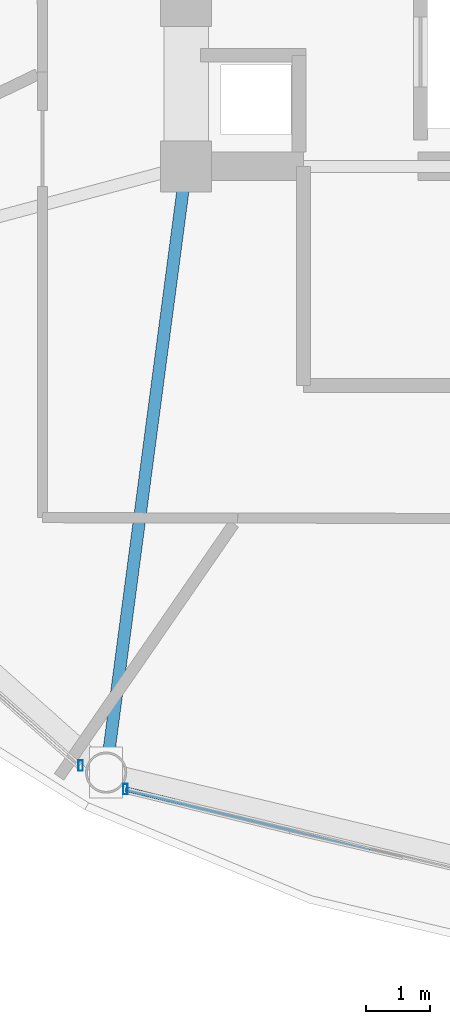
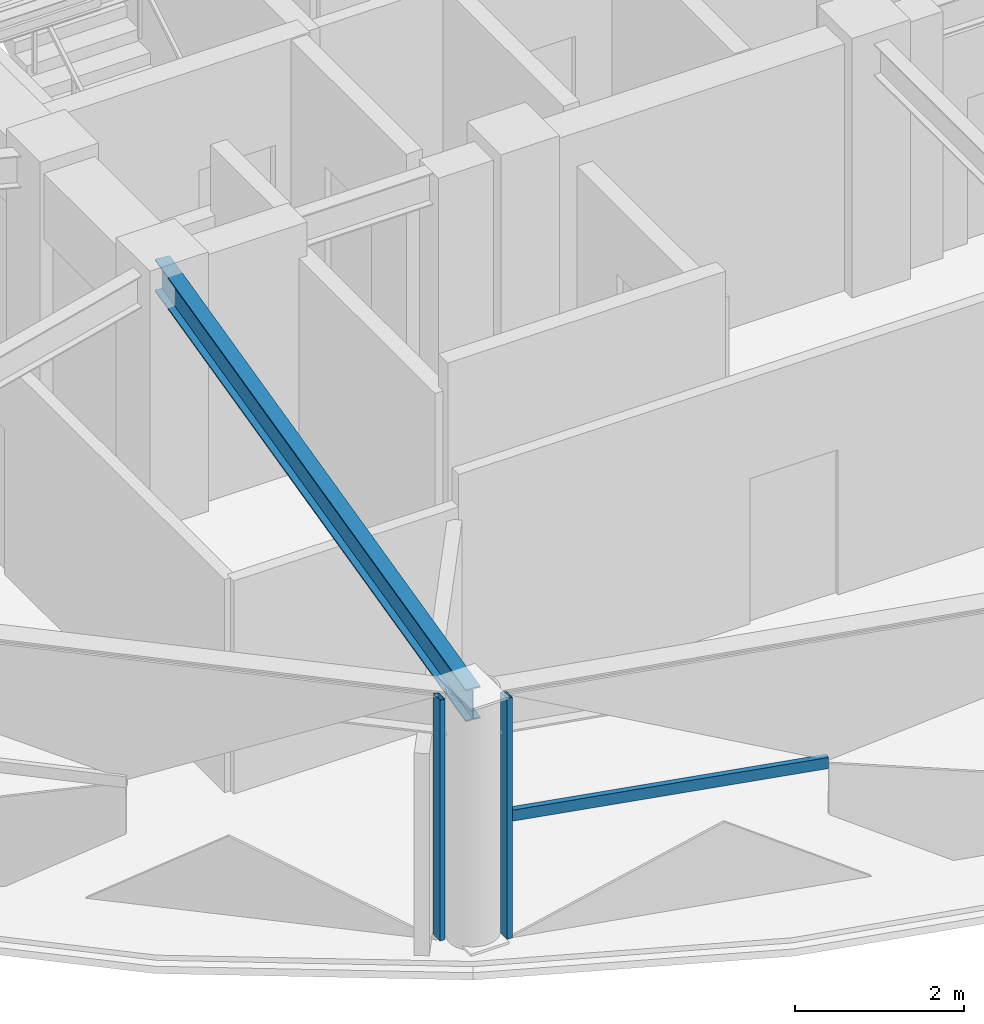
# One storey, part 2 of 28: 3 members, 1 beam, 2 elements without a shape of their own.
"""IFC4 building model written with IfcOpenShell, lengths in metres."""

import ifcopenshell
import ifcopenshell.guid

model = None  # the IFC model being written
_history = None  # IfcOwnerHistory: only IFC2X3 demands one
_inside = {}  # id of a spatial element -> (the spatial element, [elements in it])
_under = {}  # id of a project, library or spatial element -> (it, [spatial elements below it])
_declared = {}  # id of a project -> (the project, [libraries it declares])
_typed = {}  # id of a type object -> (the type object, [elements of that type])
_made_of = {}  # id of a material, layer set ... -> (it, [elements and type objects made of it])


def new_model(schema):
    """Start an empty IFC model of exactly this schema.

    Asked for "IFC4X3", IfcOpenShell would pick the latest addendum, in which some entities
    have other attributes; the version numbers below select the first issue.
    IFC2X3 requires an IfcOwnerHistory on every rooted entity: one is made here for all.
    """
    global model, _history
    if schema == "IFC4X3":
        model = ifcopenshell.file(schema_version=(4, 3, 0, 0))
    else:
        model = ifcopenshell.file(schema=schema)
    _inside.clear()
    _under.clear()
    _declared.clear()
    _typed.clear()
    _made_of.clear()
    _history = None
    if model.schema == "IFC2X3":
        org = make("IfcOrganization", Name="unknown")
        user = make(
            "IfcPersonAndOrganization",
            ThePerson=make("IfcPerson", FamilyName="unknown"),
            TheOrganization=org,
        )
        app = make(
            "IfcApplication",
            ApplicationDeveloper=org,
            Version="unknown",
            ApplicationFullName="unknown",
            ApplicationIdentifier="unknown",
        )
        _history = make(
            "IfcOwnerHistory",
            OwningUser=user,
            OwningApplication=app,
            ChangeAction="ADDED",
            CreationDate=0,
        )
    return model


def make(cls, **values):
    """One entity of the class cls with the attributes given. An attribute that is None is left unset."""
    return model.create_entity(
        cls, **{name: value for name, value in values.items() if value is not None}
    )


def rooted(cls, **values):
    """An entity with a GlobalId (a new one), such as an element, a storey or a relation."""
    return make(cls, GlobalId=ifcopenshell.guid.new(), OwnerHistory=_history, **values)


def si_unit(unit_type, name, prefix=None):
    """IfcSIUnit, for example si_unit("LENGTHUNIT", "METRE", prefix="MILLI")."""
    return make("IfcSIUnit", UnitType=unit_type, Prefix=prefix, Name=name)


def assignment(units):
    """IfcUnitAssignment: the units of a project."""
    return None if units is None else make("IfcUnitAssignment", Units=units)


def point(xyz):
    """IfcCartesianPoint."""
    return None if xyz is None else make("IfcCartesianPoint", Coordinates=xyz)


def direction(xyz):
    """IfcDirection."""
    return None if xyz is None else make("IfcDirection", DirectionRatios=xyz)


def frame(location, z_axis=None, x_axis=None):
    """IfcAxis2Placement3D, a coordinate frame: its origin and axes. An axis left out is left unset."""
    return make(
        "IfcAxis2Placement3D",
        Location=point(location),
        Axis=direction(z_axis),
        RefDirection=direction(x_axis),
    )


def frame_2d(location, x_axis=None):
    """IfcAxis2Placement2D, a coordinate frame in the plane: its origin and x axis."""
    return make(
        "IfcAxis2Placement2D", Location=point(location), RefDirection=direction(x_axis)
    )


def origin():
    """The frame at (0, 0, 0) with its axes left unset."""
    return frame((0.0, 0.0, 0.0))


def origin_2d():
    """The frame at (0, 0) in the plane with its x axis left unset."""
    return frame_2d((0.0, 0.0))


def place(relative_to, where):
    """IfcLocalPlacement: puts the frame where relative to a parent placement (None: the world)."""
    return make(
        "IfcLocalPlacement", PlacementRelTo=relative_to, RelativePlacement=where
    )


def context(
    kind, dimensions, precision=None, world=None, true_north=None, identifier=None
):
    """IfcGeometricRepresentationContext, for example the 3D "Model" context."""
    return make(
        "IfcGeometricRepresentationContext",
        ContextIdentifier=identifier,
        ContextType=kind,
        CoordinateSpaceDimension=dimensions,
        Precision=precision,
        WorldCoordinateSystem=world,
        TrueNorth=true_north,
    )


def subcontext(parent, identifier, kind, view, scale=None):
    """IfcGeometricRepresentationSubContext, for example "Body" below "Model"."""
    return make(
        "IfcGeometricRepresentationSubContext",
        ContextIdentifier=identifier,
        ContextType=kind,
        ParentContext=parent,
        TargetScale=scale,
        TargetView=view,
    )


def project(units=None, contexts=None):
    """IfcProject with its units and contexts."""
    return rooted(
        "IfcProject",
        Name="project",
        RepresentationContexts=contexts,
        UnitsInContext=assignment(units),
    )


def spatial(cls, under=None, at=None, **own):
    """A site, building, storey or space (cls), placed at a placement, below another one or the project."""
    s = rooted(cls, ObjectPlacement=at, **own)
    if under is not None:
        _under.setdefault(under.id(), (under, []))[1].append(s)
    return s


def profile(cls, at=None, kind="AREA", **sizes):
    """A parametric profile (cls). Its sizes go by their IFC names, for example OverallWidth=200.0."""
    return make(cls, ProfileType=kind, Position=at, **sizes)


def hollow_rectangle(**sizes):
    """IfcRectangleHollowProfileDef."""
    return profile("IfcRectangleHollowProfileDef", **sizes)


def i_section(**sizes):
    """IfcIShapeProfileDef."""
    return profile("IfcIShapeProfileDef", **sizes)


def extrude(swept, where, along, depth):
    """IfcExtrudedAreaSolid: the profile swept, set in the frame where, extruded along a direction by depth."""
    return make(
        "IfcExtrudedAreaSolid",
        SweptArea=swept,
        Position=where,
        ExtrudedDirection=direction(along),
        Depth=depth,
    )


def shape(context_of_items, identifier, shape_type, items):
    """IfcShapeRepresentation: the items that make up one representation, for example the "Body"."""
    return make(
        "IfcShapeRepresentation",
        ContextOfItems=context_of_items,
        RepresentationIdentifier=identifier,
        RepresentationType=shape_type,
        Items=items,
    )


def material(Name=None, Category=None):
    """IfcMaterial."""
    return make("IfcMaterial", Name=Name, Category=Category)


def layer(
    of_material, thickness, ventilated=None, Name=None, Category=None, Priority=None
):
    """IfcMaterialLayer: one layer of a wall or slab, of a material (None: an air gap)."""
    return make(
        "IfcMaterialLayer",
        Material=of_material,
        LayerThickness=thickness,
        IsVentilated=ventilated,
        Name=Name,
        Category=Category,
        Priority=Priority,
    )


def layer_set(layers, Name=None):
    """IfcMaterialLayerSet."""
    return make("IfcMaterialLayerSet", MaterialLayers=layers, LayerSetName=Name)


def material_profile(
    of_material, cross_section, Name=None, Category=None, Priority=None
):
    """IfcMaterialProfile: a cross section and its material."""
    return make(
        "IfcMaterialProfile",
        Name=Name,
        Material=of_material,
        Profile=cross_section,
        Priority=Priority,
        Category=Category,
    )


def profile_set(profiles, Name=None, composite=None):
    """IfcMaterialProfileSet."""
    return make(
        "IfcMaterialProfileSet",
        Name=Name,
        MaterialProfiles=profiles,
        CompositeProfile=composite,
    )


def made_of(thing, what):
    """Note that an element or type object is made of a material, layer set ...; save() writes the relation."""
    if what is not None:
        _made_of.setdefault(what.id(), (what, []))[1].append(thing)
    return thing


def type_object(cls, material=None, **own):
    """A type object (cls), such as IfcWallType, which elements share."""
    return made_of(rooted(cls, **own), material)


def element(
    cls,
    number,
    at=None,
    inside=None,
    cuts=None,
    type_object=None,
    material=None,
    context=None,
    identifier="Body",
    shape_type=None,
    held_by="IfcProductDefinitionShape",
    body=None,
    shapes=None,
    **own,
):
    """One element of the class cls, such as IfcWall. Its Tag is "e" and its number.

    at: its placement. inside: the storey or other place that contains it. cuts: it is an
    opening in that element (IfcRelVoidsElement). A single representation is given by context,
    identifier, shape_type and body (its items); several are given by shapes. held_by: the class
    of the entity that holds the representations. save() writes the other relations.
    """
    e = rooted(cls, Tag="e%d" % number, ObjectPlacement=at, **own)
    if body is not None:
        shapes = [shape(context, identifier, shape_type, body)]
    if shapes is not None:
        e.Representation = make(held_by, Representations=shapes)
    if inside is not None:
        _inside.setdefault(inside.id(), (inside, []))[1].append(e)
    if cuts is not None:
        rooted(
            "IfcRelVoidsElement", RelatingBuildingElement=cuts, RelatedOpeningElement=e
        )
    if type_object is not None:
        _typed.setdefault(type_object.id(), (type_object, []))[1].append(e)
    return made_of(e, material)


def aggregate(whole, parts):
    """IfcRelAggregates: a whole, such as a stair, and the parts it consists of."""
    return rooted("IfcRelAggregates", RelatingObject=whole, RelatedObjects=parts)


def save(model, path):
    """Write the relations noted so far, then the file.

    IfcRelAggregates (storeys below a building ...), IfcRelContainedInSpatialStructure (elements
    in a storey), IfcRelDefinesByType, IfcRelAssociatesMaterial and IfcRelDeclares: one each for
    every whole, place, type object, material and project.
    """
    for whole, parts in _under.values():
        aggregate(whole, parts)
    for where, things in _inside.values():
        rooted(
            "IfcRelContainedInSpatialStructure",
            RelatedElements=things,
            RelatingStructure=where,
        )
    for kind, things in _typed.values():
        rooted("IfcRelDefinesByType", RelatedObjects=things, RelatingType=kind)
    for what, things in _made_of.values():
        rooted("IfcRelAssociatesMaterial", RelatedObjects=things, RelatingMaterial=what)
    for by, libraries in _declared.values():
        rooted("IfcRelDeclares", RelatingContext=by, RelatedDefinitions=libraries)
    model.write(path)


model = new_model("IFC4")

# Units and contexts
model_context = context("Model", 3, precision=1e-05, world=origin(), true_north=direction((0.0, 1.0)))
body_context = subcontext(model_context, "Body", "Model", "MODEL_VIEW")
ifc_project = project(units=[si_unit("LENGTHUNIT", "METRE"), si_unit("AREAUNIT", "SQUARE_METRE"), si_unit("VOLUMEUNIT", "CUBIC_METRE"), si_unit("PLANEANGLEUNIT", "RADIAN"), si_unit("MASSUNIT", "GRAM", prefix="KILO")], contexts=[model_context])

# Site, building, storey
site_placement = place(None, origin())
site = spatial("IfcSite", under=ifc_project, at=site_placement, CompositionType="ELEMENT")
building_placement = place(site_placement, origin())
building = spatial("IfcBuilding", under=site, at=building_placement, Name="Vantalir Tower", CompositionType="ELEMENT")
storey_placement = place(building_placement, frame((0.0, 0.0, 238.64990234375)))
storey = spatial("IfcBuildingStorey", under=building, at=storey_placement, Name="L60", CompositionType="ELEMENT", Elevation=238.64990234375)

# Beam
ifc_material_1 = material(Name="Steel S355", Category="steel")
ifc_material_profile_1 = material_profile(ifc_material_1, i_section(OverallWidth=0.19189453125, OverallDepth=0.462890625, WebThickness=0.010498046875, FlangeThickness=0.017578125, at=origin_2d()), Name="Steel S355")
ifc_profile_set_1 = profile_set([ifc_material_profile_1], Name="Steel S355")
beam_type = type_object("IfcBeamType", Name="BM-RB-457x191", PredefinedType="BEAM", material=ifc_profile_set_1)
beam_placement = place(storey_placement, frame((20.64111328125, 8.257080078125, 3.338134765625), z_axis=(0.130774684438, 0.991412115071, 0.0), x_axis=(-0.991412115071, 0.130774684438, 0.0)))
element("IfcBeam", 1, at=beam_placement, inside=storey, type_object=beam_type, Name="L60 Radial Floor Beam 09", PredefinedType="BEAM", context=body_context, shape_type="SweptSolid", body=[
    extrude(i_section(OverallWidth=0.19189453125, OverallDepth=0.462890625, WebThickness=0.010498046875, FlangeThickness=0.017578125, at=origin_2d()), origin(), (0.0, 0.0, 1.0), 9.625732421875),
])

# Curtain wall, member
ifc_material_2 = material(Name="Champagne-silver PVDF aluminium and double-silver Low-E glass", Category="aluminium")
ifc_layer = layer(ifc_material_2, 0.2099609375)
ifc_layer_set = layer_set([ifc_layer], Name="Champagne-silver PVDF aluminium and double-silver Low-E glass")
curtain_wall_type = type_object("IfcCurtainWallType", Name="CW-DIAMOND-Z3", PredefinedType="USERDEFINED", material=ifc_layer_set)
curtain_wall_1_placement = place(storey_placement, origin())
curtain_wall_1 = element("IfcCurtainWall", 2, at=curtain_wall_1_placement, inside=storey, type_object=curtain_wall_type, Name="L60 Quilted Pyramid-Diamond Curtain Wall S08", ObjectType="UNITISED CURTAIN WALL", PredefinedType="USERDEFINED")
ifc_material_3 = material(Name="Champagne-silver PVDF aluminium 6063-T6", Category="aluminium")
ifc_material_profile_2 = material_profile(ifc_material_3, hollow_rectangle(XDim=0.070068359375, YDim=0.1650390625, WallThickness=0.00390625, at=origin_2d()), Name="Champagne-silver PVDF aluminium 6063-T6")
ifc_profile_set_2 = profile_set([ifc_material_profile_2], Name="Champagne-silver PVDF aluminium 6063-T6")
member_type_1 = type_object("IfcMemberType", Name="CWM-165x70", PredefinedType="MULLION", material=ifc_profile_set_2)
member_1_placement = place(storey_placement, frame((20.239990234375, 8.365966796875, 0.045166015625), z_axis=(0.0, 0.0, 1.0), x_axis=(1.0, 0.0, 0.0)))
member_1 = element("IfcMember", 3, at=member_1_placement, type_object=member_type_1, Name="CW-L60-S08 Mullion 2", PredefinedType="MULLION", context=body_context, shape_type="SweptSolid", body=[
    extrude(hollow_rectangle(XDim=0.070068359375, YDim=0.1650390625, WallThickness=0.00390625, at=origin_2d()), origin(), (0.0, 0.0, 1.0), 3.47998046875),
])
aggregate(curtain_wall_1, [member_1])

# Curtain wall, members
curtain_wall_2_placement = place(storey_placement, origin())
curtain_wall_2 = element("IfcCurtainWall", 4, at=curtain_wall_2_placement, inside=storey, type_object=curtain_wall_type, Name="L60 Quilted Pyramid-Diamond Curtain Wall S09", ObjectType="UNITISED CURTAIN WALL", PredefinedType="USERDEFINED")
member_2_placement = place(storey_placement, frame((20.945068359375, 7.998046875, 0.045166015625), z_axis=(0.0, 0.0, 1.0), x_axis=(1.0, 0.0, 0.0)))
member_2 = element("IfcMember", 5, at=member_2_placement, type_object=member_type_1, Name="CW-L60-S09 Mullion 1", PredefinedType="MULLION", context=body_context, shape_type="SweptSolid", body=[
    extrude(hollow_rectangle(XDim=0.070068359375, YDim=0.1650390625, WallThickness=0.00390625, at=origin_2d()), origin(), (0.0, 0.0, 1.0), 3.47998046875),
])
ifc_material_profile_3 = material_profile(ifc_material_3, hollow_rectangle(XDim=0.074951171875, YDim=0.159912109375, WallThickness=0.00390625, at=origin_2d()), Name="Champagne-silver PVDF aluminium 6063-T6")
ifc_profile_set_3 = profile_set([ifc_material_profile_3], Name="Champagne-silver PVDF aluminium 6063-T6")
member_type_2 = type_object("IfcMemberType", Name="CWT-160x75", PredefinedType="USERDEFINED", material=ifc_profile_set_3)
member_3_placement = place(storey_placement, frame((20.945068359375, 7.998046875, 1.78515625), z_axis=(0.971237180584, -0.238114130306, 0.0), x_axis=(0.238114130306, 0.971237180584, 0.0)))
member_3 = element("IfcMember", 6, at=member_3_placement, type_object=member_type_2, Name="CW-L60-S09 Pyramid Fold Ridge Transom", ObjectType="TRANSOM", PredefinedType="USERDEFINED", context=body_context, shape_type="SweptSolid", body=[
    extrude(hollow_rectangle(XDim=0.074951171875, YDim=0.159912109375, WallThickness=0.00390625, at=origin_2d()), origin(), (0.0, 0.0, 1.0), 3.96484375),
])
aggregate(curtain_wall_2, [member_2, member_3])

save(model, "model.ifc")
